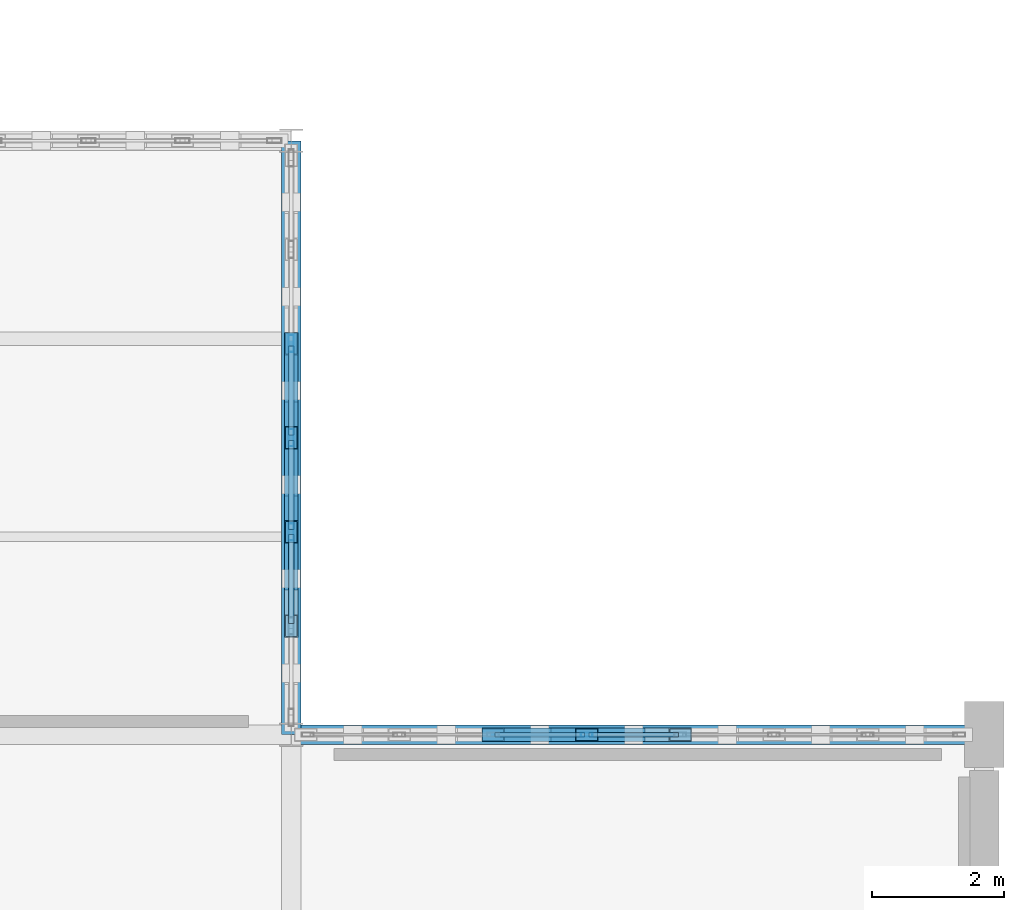
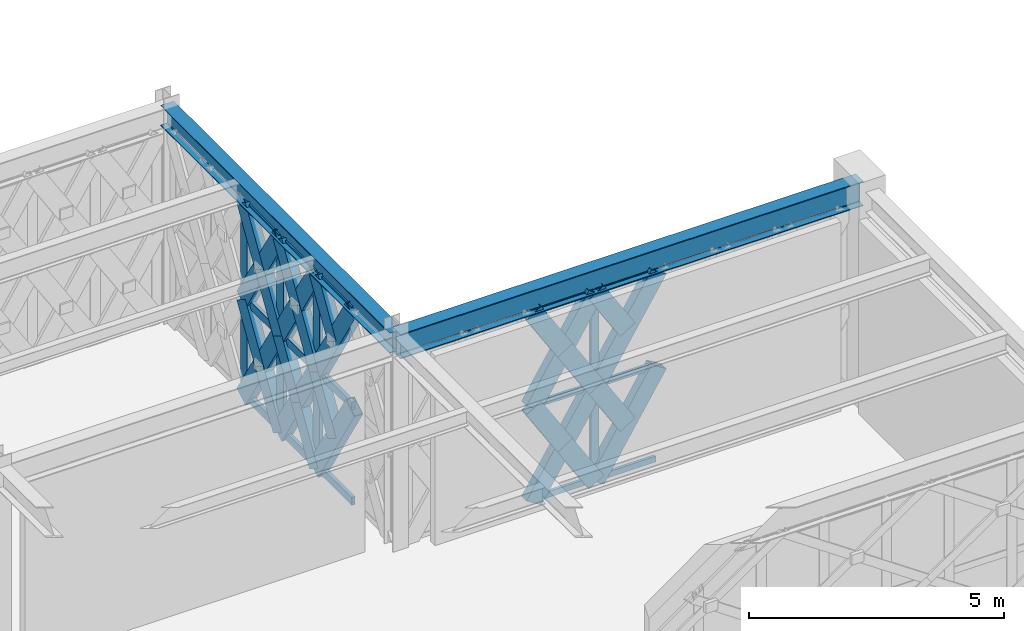
# One storey, part 116 of 166: 45 members, 2 beams, 2 elements without a shape of their own.
"""IFC4 building model written with IfcOpenShell, lengths in metres."""

from ifc_helpers import new_model, si_unit, direction, frame, origin, origin_2d, place, context, subcontext, project, spatial, hollow_rectangle, i_section, extrude, material, material_profile, profile_set, type_object, element, aggregate, save


model = new_model("IFC4")

# Units and contexts
model_context = context("Model", 3, precision=1e-05, world=origin(), true_north=direction((0.0, 1.0)))
body_context = subcontext(model_context, "Body", "Model", "MODEL_VIEW")
ifc_project = project(units=[si_unit("LENGTHUNIT", "METRE"), si_unit("AREAUNIT", "SQUARE_METRE"), si_unit("VOLUMEUNIT", "CUBIC_METRE"), si_unit("PLANEANGLEUNIT", "RADIAN"), si_unit("MASSUNIT", "GRAM", prefix="KILO")], contexts=[model_context])

# Site, building, storey
site_placement = place(None, origin())
site = spatial("IfcSite", under=ifc_project, at=site_placement, CompositionType="ELEMENT")
building_placement = place(site_placement, origin())
building = spatial("IfcBuilding", under=site, at=building_placement, Name="Haizhuo Lancet Aquarium", CompositionType="ELEMENT")
storey_placement = place(building_placement, frame((0.0, 0.0, 5.39990234375)))
storey = spatial("IfcBuildingStorey", under=building, at=storey_placement, Name="L01", CompositionType="ELEMENT", Elevation=5.39990234375)

# Beams
ifc_material_1 = material(Name="Steel S355", Category="steel")
ifc_material_profile_1 = material_profile(ifc_material_1, i_section(OverallWidth=0.300048828125, OverallDepth=0.488037109375, WebThickness=0.010986328125, FlangeThickness=0.01806640625, FilletRadius=0.02392578125, at=origin_2d()), Name="HM 488x300x11x18")
ifc_profile_set_1 = profile_set([ifc_material_profile_1], Name="Steel S355")
beam_type_1 = type_object("IfcBeamType", Name="BM-ST-HM488", PredefinedType="BEAM", material=ifc_profile_set_1)
beam_1_placement = place(storey_placement, frame((72.0, 18.0, 4.89599609375), z_axis=(0.0, 1.0, 0.0), x_axis=(-1.0, 0.0, 0.0)))
element("IfcBeam", 1, at=beam_1_placement, inside=storey, type_object=beam_type_1, Name="L01 V7 primary girder BM-L01-V7-029", PredefinedType="BEAM", context=body_context, shape_type="SweptSolid", body=[
    extrude(i_section(OverallWidth=0.300048828125, OverallDepth=0.488037109375, WebThickness=0.010986328125, FlangeThickness=0.01806640625, FilletRadius=0.02392578125, at=origin_2d()), origin(), (0.0, 0.0, 1.0), 9.0),
])
ifc_material_profile_2 = material_profile(ifc_material_1, i_section(OverallWidth=0.300048828125, OverallDepth=0.587890625, WebThickness=0.011962890625, FlangeThickness=0.02001953125, FilletRadius=0.02587890625, at=origin_2d()), Name="HM 588x300x12x20")
ifc_profile_set_2 = profile_set([ifc_material_profile_2], Name="Steel S355")
beam_type_2 = type_object("IfcBeamType", Name="BM-ST-HM588", PredefinedType="BEAM", material=ifc_profile_set_2)
beam_2_placement = place(storey_placement, frame((72.0, 18.0, 4.84619140625), z_axis=(1.0, 0.0, 0.0), x_axis=(0.0, 1.0, 0.0)))
element("IfcBeam", 2, at=beam_2_placement, inside=storey, type_object=beam_type_2, Name="L01 V7 primary girder BM-L01-V7-030", PredefinedType="BEAM", context=body_context, shape_type="SweptSolid", body=[
    extrude(i_section(OverallWidth=0.300048828125, OverallDepth=0.587890625, WebThickness=0.011962890625, FlangeThickness=0.02001953125, FilletRadius=0.02587890625, at=origin_2d()), origin(), (0.0, 0.0, 1.0), 10.5),
])

# Curtain wall, member
ifc_material_2 = material(Name="Aluminium 6063-T6", Category="aluminium")
curtain_wall_type_1 = type_object("IfcCurtainWallType", Name="CWD-9940x4550", PredefinedType="NOTDEFINED", material=ifc_material_2)
curtain_wall_1_placement = place(storey_placement, origin())
curtain_wall_1 = element("IfcCurtainWall", 3, at=curtain_wall_1_placement, inside=storey, type_object=curtain_wall_type_1, Name="L01 curtain wall CW-V7-L01-289", PredefinedType="NOTDEFINED")
ifc_material_profile_3 = material_profile(ifc_material_2, hollow_rectangle(XDim=0.06494140625, YDim=0.179931640625, WallThickness=0.00390625, at=origin_2d()), Name="ALU-M 65x180x4")
ifc_profile_set_3 = profile_set([ifc_material_profile_3], Name="Aluminium 6063-T6")
member_type_1 = type_object("IfcMemberType", Name="CW-MUL-1", PredefinedType="MULLION", material=ifc_profile_set_3)
member_1_placement = place(storey_placement, frame((76.47802734375, 18.0, 0.0), z_axis=(0.0, 0.0, 1.0), x_axis=(0.0, 1.0, 0.0)))
member_1 = element("IfcMember", 4, at=member_1_placement, type_object=member_type_1, Name="CWD-99x45 mullion 4", PredefinedType="MULLION", context=body_context, shape_type="SweptSolid", body=[
    extrude(hollow_rectangle(XDim=0.06494140625, YDim=0.179931640625, WallThickness=0.00390625, at=origin_2d()), origin(), (0.0, 0.0, 1.0), 4.552001953125),
])

# Curtain wall, members
curtain_wall_type_2 = type_object("IfcCurtainWallType", Name="CWD-8560x4650", PredefinedType="NOTDEFINED", material=ifc_material_2)
curtain_wall_2_placement = place(storey_placement, origin())
curtain_wall_2 = element("IfcCurtainWall", 5, at=curtain_wall_2_placement, inside=storey, type_object=curtain_wall_type_2, Name="L01 curtain wall CW-V7-L01-288", PredefinedType="NOTDEFINED")
ifc_material_profile_4 = material_profile(ifc_material_2, hollow_rectangle(XDim=0.080078125, YDim=0.260009765625, WallThickness=0.0048828125, at=origin_2d()), Name="ALU-M 80x260x5")
ifc_profile_set_4 = profile_set([ifc_material_profile_4], Name="Aluminium 6063-T6")
member_type_2 = type_object("IfcMemberType", Name="CW-MUL-3", PredefinedType="MULLION", material=ifc_profile_set_4)
member_2_placement = place(storey_placement, frame((72.0, 23.927001953125, 0.0), z_axis=(0.0, 0.0, 1.0), x_axis=(1.0, 0.0, 0.0)))
member_2 = element("IfcMember", 6, at=member_2_placement, type_object=member_type_2, Name="CWD-85x46 mullion 3", PredefinedType="MULLION", context=body_context, shape_type="SweptSolid", body=[
    extrude(hollow_rectangle(XDim=0.080078125, YDim=0.260009765625, WallThickness=0.0048828125, at=origin_2d()), origin(), (0.0, 0.0, 1.0), 4.652099609375),
])
member_3_placement = place(storey_placement, frame((72.0, 22.5, 0.0), z_axis=(0.0, 0.0, 1.0), x_axis=(1.0, 0.0, 0.0)))
member_3 = element("IfcMember", 7, at=member_3_placement, type_object=member_type_2, Name="CWD-85x46 mullion 4", PredefinedType="MULLION", context=body_context, shape_type="SweptSolid", body=[
    extrude(hollow_rectangle(XDim=0.080078125, YDim=0.260009765625, WallThickness=0.0048828125, at=origin_2d()), origin(), (0.0, 0.0, 1.0), 4.652099609375),
])
member_4_placement = place(storey_placement, frame((72.0, 21.072998046875, 0.0), z_axis=(0.0, 0.0, 1.0), x_axis=(1.0, 0.0, 0.0)))
member_4 = element("IfcMember", 8, at=member_4_placement, type_object=member_type_2, Name="CWD-85x46 mullion 5", PredefinedType="MULLION", context=body_context, shape_type="SweptSolid", body=[
    extrude(hollow_rectangle(XDim=0.080078125, YDim=0.260009765625, WallThickness=0.0048828125, at=origin_2d()), origin(), (0.0, 0.0, 1.0), 4.652099609375),
])

# Member
ifc_material_profile_5 = material_profile(ifc_material_2, hollow_rectangle(XDim=0.06494140625, YDim=0.139892578125, WallThickness=0.00390625, at=origin_2d()), Name="ALU-T 65x140x4")
ifc_profile_set_5 = profile_set([ifc_material_profile_5], Name="Aluminium 6063-T6")
member_type_3 = type_object("IfcMemberType", Name="CW-TRN-1", PredefinedType="NOTDEFINED", material=ifc_profile_set_5)
member_5_placement = place(storey_placement, frame((75.091064453125, 18.0, 0.033203125), z_axis=(1.0, 0.0, 0.0), x_axis=(0.0, 1.0, 0.0)))
member_5 = element("IfcMember", 9, at=member_5_placement, type_object=member_type_3, Name="CWD-99x45 transom 3.1", ObjectType="TRANSOM", PredefinedType="USERDEFINED", context=body_context, shape_type="SweptSolid", body=[
    extrude(hollow_rectangle(XDim=0.06494140625, YDim=0.139892578125, WallThickness=0.00390625, at=origin_2d()), origin(), (0.0, 0.0, 1.0), 1.35400390625),
])

member_6_placement = place(storey_placement, frame((75.091064453125, 18.0, 2.276123046875), z_axis=(1.0, 0.0, 0.0), x_axis=(0.0, 1.0, 0.0)))
member_6 = element("IfcMember", 10, at=member_6_placement, type_object=member_type_3, Name="CWD-99x45 transom 3.2", ObjectType="TRANSOM", PredefinedType="USERDEFINED", context=body_context, shape_type="SweptSolid", body=[
    extrude(hollow_rectangle(XDim=0.06494140625, YDim=0.139892578125, WallThickness=0.00390625, at=origin_2d()), origin(), (0.0, 0.0, 1.0), 1.35400390625),
])

member_7_placement = place(storey_placement, frame((75.091064453125, 18.0, 4.51904296875), z_axis=(1.0, 0.0, 0.0), x_axis=(0.0, 1.0, 0.0)))
member_7 = element("IfcMember", 11, at=member_7_placement, type_object=member_type_3, Name="CWD-99x45 transom 3.3", ObjectType="TRANSOM", PredefinedType="USERDEFINED", context=body_context, shape_type="SweptSolid", body=[
    extrude(hollow_rectangle(XDim=0.06494140625, YDim=0.139892578125, WallThickness=0.00390625, at=origin_2d()), origin(), (0.0, 0.0, 1.0), 1.35400390625),
])

member_8_placement = place(storey_placement, frame((76.510009765625, 18.0, 0.033203125), z_axis=(1.0, 0.0, 0.0), x_axis=(0.0, 1.0, 0.0)))
member_8 = element("IfcMember", 12, at=member_8_placement, type_object=member_type_3, Name="CWD-99x45 transom 4.1", ObjectType="TRANSOM", PredefinedType="USERDEFINED", context=body_context, shape_type="SweptSolid", body=[
    extrude(hollow_rectangle(XDim=0.06494140625, YDim=0.139892578125, WallThickness=0.00390625, at=origin_2d()), origin(), (0.0, 0.0, 1.0), 1.35498046875),
])

member_9_placement = place(storey_placement, frame((76.510009765625, 18.0, 2.276123046875), z_axis=(1.0, 0.0, 0.0), x_axis=(0.0, 1.0, 0.0)))
member_9 = element("IfcMember", 13, at=member_9_placement, type_object=member_type_3, Name="CWD-99x45 transom 4.2", ObjectType="TRANSOM", PredefinedType="USERDEFINED", context=body_context, shape_type="SweptSolid", body=[
    extrude(hollow_rectangle(XDim=0.06494140625, YDim=0.139892578125, WallThickness=0.00390625, at=origin_2d()), origin(), (0.0, 0.0, 1.0), 1.35498046875),
])

member_10_placement = place(storey_placement, frame((76.510009765625, 18.0, 4.51904296875), z_axis=(1.0, 0.0, 0.0), x_axis=(0.0, 1.0, 0.0)))
member_10 = element("IfcMember", 14, at=member_10_placement, type_object=member_type_3, Name="CWD-99x45 transom 4.3", ObjectType="TRANSOM", PredefinedType="USERDEFINED", context=body_context, shape_type="SweptSolid", body=[
    extrude(hollow_rectangle(XDim=0.06494140625, YDim=0.139892578125, WallThickness=0.00390625, at=origin_2d()), origin(), (0.0, 0.0, 1.0), 1.35498046875),
])

aggregate(curtain_wall_1, [member_1, member_5, member_6, member_7, member_8, member_9, member_10])

ifc_material_profile_6 = material_profile(ifc_material_2, hollow_rectangle(XDim=0.080078125, YDim=0.18994140625, WallThickness=0.0048828125, at=origin_2d()), Name="ALU-T 80x190x5")
ifc_profile_set_6 = profile_set([ifc_material_profile_6], Name="Aluminium 6063-T6")
member_type_4 = type_object("IfcMemberType", Name="CW-TRN-3", PredefinedType="NOTDEFINED", material=ifc_profile_set_6)
member_11_placement = place(storey_placement, frame((72.0, 23.886962890625, 0.0400390625), z_axis=(0.0, -1.0, 0.0), x_axis=(1.0, 0.0, 0.0)))
member_11 = element("IfcMember", 15, at=member_11_placement, type_object=member_type_4, Name="CWD-85x46 transom 3.1", ObjectType="TRANSOM", PredefinedType="USERDEFINED", context=body_context, shape_type="SweptSolid", body=[
    extrude(hollow_rectangle(XDim=0.080078125, YDim=0.18994140625, WallThickness=0.0048828125, at=origin_2d()), origin(), (0.0, 0.0, 1.0), 1.346923828125),
])

member_12_placement = place(storey_placement, frame((72.0, 23.886962890625, 2.326171875), z_axis=(0.0, -1.0, 0.0), x_axis=(1.0, 0.0, 0.0)))
member_12 = element("IfcMember", 16, at=member_12_placement, type_object=member_type_4, Name="CWD-85x46 transom 3.2", ObjectType="TRANSOM", PredefinedType="USERDEFINED", context=body_context, shape_type="SweptSolid", body=[
    extrude(hollow_rectangle(XDim=0.080078125, YDim=0.18994140625, WallThickness=0.0048828125, at=origin_2d()), origin(), (0.0, 0.0, 1.0), 1.346923828125),
])

member_13_placement = place(storey_placement, frame((72.0, 23.886962890625, 4.612060546875), z_axis=(0.0, -1.0, 0.0), x_axis=(1.0, 0.0, 0.0)))
member_13 = element("IfcMember", 17, at=member_13_placement, type_object=member_type_4, Name="CWD-85x46 transom 3.3", ObjectType="TRANSOM", PredefinedType="USERDEFINED", context=body_context, shape_type="SweptSolid", body=[
    extrude(hollow_rectangle(XDim=0.080078125, YDim=0.18994140625, WallThickness=0.0048828125, at=origin_2d()), origin(), (0.0, 0.0, 1.0), 1.346923828125),
])

member_14_placement = place(storey_placement, frame((72.0, 22.4599609375, 0.0400390625), z_axis=(0.0, -1.0, 0.0), x_axis=(1.0, 0.0, 0.0)))
member_14 = element("IfcMember", 18, at=member_14_placement, type_object=member_type_4, Name="CWD-85x46 transom 4.1", ObjectType="TRANSOM", PredefinedType="USERDEFINED", context=body_context, shape_type="SweptSolid", body=[
    extrude(hollow_rectangle(XDim=0.080078125, YDim=0.18994140625, WallThickness=0.0048828125, at=origin_2d()), origin(), (0.0, 0.0, 1.0), 1.346923828125),
])

member_15_placement = place(storey_placement, frame((72.0, 22.4599609375, 2.326171875), z_axis=(0.0, -1.0, 0.0), x_axis=(1.0, 0.0, 0.0)))
member_15 = element("IfcMember", 19, at=member_15_placement, type_object=member_type_4, Name="CWD-85x46 transom 4.2", ObjectType="TRANSOM", PredefinedType="USERDEFINED", context=body_context, shape_type="SweptSolid", body=[
    extrude(hollow_rectangle(XDim=0.080078125, YDim=0.18994140625, WallThickness=0.0048828125, at=origin_2d()), origin(), (0.0, 0.0, 1.0), 1.346923828125),
])

member_16_placement = place(storey_placement, frame((72.0, 22.4599609375, 4.612060546875), z_axis=(0.0, -1.0, 0.0), x_axis=(1.0, 0.0, 0.0)))
member_16 = element("IfcMember", 20, at=member_16_placement, type_object=member_type_4, Name="CWD-85x46 transom 4.3", ObjectType="TRANSOM", PredefinedType="USERDEFINED", context=body_context, shape_type="SweptSolid", body=[
    extrude(hollow_rectangle(XDim=0.080078125, YDim=0.18994140625, WallThickness=0.0048828125, at=origin_2d()), origin(), (0.0, 0.0, 1.0), 1.346923828125),
])

member_17_placement = place(storey_placement, frame((72.0, 21.032958984375, 0.0400390625), z_axis=(0.0, -1.0, 0.0), x_axis=(1.0, 0.0, 0.0)))
member_17 = element("IfcMember", 21, at=member_17_placement, type_object=member_type_4, Name="CWD-85x46 transom 5.1", ObjectType="TRANSOM", PredefinedType="USERDEFINED", context=body_context, shape_type="SweptSolid", body=[
    extrude(hollow_rectangle(XDim=0.080078125, YDim=0.18994140625, WallThickness=0.0048828125, at=origin_2d()), origin(), (0.0, 0.0, 1.0), 1.345947265625),
])

member_18_placement = place(storey_placement, frame((72.0, 21.032958984375, 2.326171875), z_axis=(0.0, -1.0, 0.0), x_axis=(1.0, 0.0, 0.0)))
member_18 = element("IfcMember", 22, at=member_18_placement, type_object=member_type_4, Name="CWD-85x46 transom 5.2", ObjectType="TRANSOM", PredefinedType="USERDEFINED", context=body_context, shape_type="SweptSolid", body=[
    extrude(hollow_rectangle(XDim=0.080078125, YDim=0.18994140625, WallThickness=0.0048828125, at=origin_2d()), origin(), (0.0, 0.0, 1.0), 1.345947265625),
])

member_19_placement = place(storey_placement, frame((72.0, 21.032958984375, 4.612060546875), z_axis=(0.0, -1.0, 0.0), x_axis=(1.0, 0.0, 0.0)))
member_19 = element("IfcMember", 23, at=member_19_placement, type_object=member_type_4, Name="CWD-85x46 transom 5.3", ObjectType="TRANSOM", PredefinedType="USERDEFINED", context=body_context, shape_type="SweptSolid", body=[
    extrude(hollow_rectangle(XDim=0.080078125, YDim=0.18994140625, WallThickness=0.0048828125, at=origin_2d()), origin(), (0.0, 0.0, 1.0), 1.345947265625),
])

aggregate(curtain_wall_2, [member_2, member_3, member_4, member_11, member_12, member_13, member_14, member_15, member_16, member_17, member_18, member_19])

# Members
ifc_material_profile_7 = material_profile(ifc_material_1, hollow_rectangle(XDim=0.199951171875, YDim=0.39990234375, WallThickness=0.011962890625, at=origin_2d()), Name="RHS 200x400x12")
ifc_profile_set_7 = profile_set([ifc_material_profile_7], Name="Steel S355")
member_type_5 = type_object("IfcMemberType", Name="MEM-LB-RHS200x400", PredefinedType="BRACE", material=ifc_profile_set_7)
member_20_placement = place(storey_placement, frame((72.0, 23.927001953125, 0.0), z_axis=(0.0, -0.522903960116, 0.85239160513), x_axis=(1.0, 0.0, 0.0)))
element("IfcMember", 24, at=member_20_placement, inside=storey, type_object=member_type_5, Name="Gothic lancet continuous diagonal brace CW-V7-L01-288 5A", PredefinedType="BRACE", context=body_context, shape_type="SweptSolid", body=[
    extrude(hollow_rectangle(XDim=0.199951171875, YDim=0.39990234375, WallThickness=0.011962890625, at=origin_2d()), origin(), (0.0, 0.0, 1.0), 2.72900390625),
])
member_21_placement = place(storey_placement, frame((72.0, 22.5, 0.0), z_axis=(0.0, 0.522578844291, 0.852590963768), x_axis=(-1.0, 0.0, 0.0)))
element("IfcMember", 25, at=member_21_placement, inside=storey, type_object=member_type_5, Name="Gothic lancet split diagonal brace CW-V7-L01-288 5B1", PredefinedType="BRACE", context=body_context, shape_type="SweptSolid", body=[
    extrude(hollow_rectangle(XDim=0.199951171875, YDim=0.39990234375, WallThickness=0.011962890625, at=origin_2d()), origin(), (0.0, 0.0, 1.0), 1.3642578125),
])
member_22_placement = place(storey_placement, frame((72.0, 23.212890625, 1.1630859375), z_axis=(0.0, 0.523228847887, 0.85219221584), x_axis=(-1.0, 0.0, 0.0)))
element("IfcMember", 26, at=member_22_placement, inside=storey, type_object=member_type_5, Name="Gothic lancet split diagonal brace CW-V7-L01-288 5B2", PredefinedType="BRACE", context=body_context, shape_type="SweptSolid", body=[
    extrude(hollow_rectangle(XDim=0.199951171875, YDim=0.39990234375, WallThickness=0.011962890625, at=origin_2d()), origin(), (0.0, 0.0, 1.0), 1.36474609375),
])
member_23_placement = place(storey_placement, frame((72.0, 23.927001953125, 2.326171875), z_axis=(0.0, -0.522943837384, 0.852367140933), x_axis=(1.0, 0.0, 0.0)))
element("IfcMember", 27, at=member_23_placement, inside=storey, type_object=member_type_5, Name="Gothic lancet continuous diagonal brace CW-V7-L01-288 6A", PredefinedType="BRACE", context=body_context, shape_type="SweptSolid", body=[
    extrude(hollow_rectangle(XDim=0.199951171875, YDim=0.39990234375, WallThickness=0.011962890625, at=origin_2d()), origin(), (0.0, 0.0, 1.0), 2.728759765625),
])
member_24_placement = place(storey_placement, frame((72.0, 22.5, 2.326171875), z_axis=(0.0, 0.522658591473, 0.852542079173), x_axis=(-1.0, 0.0, 0.0)))
element("IfcMember", 28, at=member_24_placement, inside=storey, type_object=member_type_5, Name="Gothic lancet split diagonal brace CW-V7-L01-288 6B1", PredefinedType="BRACE", context=body_context, shape_type="SweptSolid", body=[
    extrude(hollow_rectangle(XDim=0.199951171875, YDim=0.39990234375, WallThickness=0.011962890625, at=origin_2d()), origin(), (0.0, 0.0, 1.0), 1.364013671875),
])
member_25_placement = place(storey_placement, frame((72.0, 23.212890625, 3.489013671875), z_axis=(0.0, 0.523228847887, 0.85219221584), x_axis=(-1.0, 0.0, 0.0)))
element("IfcMember", 29, at=member_25_placement, inside=storey, type_object=member_type_5, Name="Gothic lancet split diagonal brace CW-V7-L01-288 6B2", PredefinedType="BRACE", context=body_context, shape_type="SweptSolid", body=[
    extrude(hollow_rectangle(XDim=0.199951171875, YDim=0.39990234375, WallThickness=0.011962890625, at=origin_2d()), origin(), (0.0, 0.0, 1.0), 1.36474609375),
])
member_26_placement = place(storey_placement, frame((72.0, 22.5, 0.0), z_axis=(0.0, -0.522903960116, 0.85239160513), x_axis=(1.0, 0.0, 0.0)))
element("IfcMember", 30, at=member_26_placement, inside=storey, type_object=member_type_5, Name="Gothic lancet continuous diagonal brace CW-V7-L01-288 7A", PredefinedType="BRACE", context=body_context, shape_type="SweptSolid", body=[
    extrude(hollow_rectangle(XDim=0.199951171875, YDim=0.39990234375, WallThickness=0.011962890625, at=origin_2d()), origin(), (0.0, 0.0, 1.0), 2.72900390625),
])
member_27_placement = place(storey_placement, frame((72.0, 21.072998046875, 0.0), z_axis=(0.0, 0.523228847887, 0.85219221584), x_axis=(-1.0, 0.0, 0.0)))
element("IfcMember", 31, at=member_27_placement, inside=storey, type_object=member_type_5, Name="Gothic lancet split diagonal brace CW-V7-L01-288 7B1", PredefinedType="BRACE", context=body_context, shape_type="SweptSolid", body=[
    extrude(hollow_rectangle(XDim=0.199951171875, YDim=0.39990234375, WallThickness=0.011962890625, at=origin_2d()), origin(), (0.0, 0.0, 1.0), 1.36474609375),
])
member_28_placement = place(storey_placement, frame((72.0, 21.787109375, 1.1630859375), z_axis=(0.0, 0.522578844291, 0.852590963768), x_axis=(-1.0, 0.0, 0.0)))
element("IfcMember", 32, at=member_28_placement, inside=storey, type_object=member_type_5, Name="Gothic lancet split diagonal brace CW-V7-L01-288 7B2", PredefinedType="BRACE", context=body_context, shape_type="SweptSolid", body=[
    extrude(hollow_rectangle(XDim=0.199951171875, YDim=0.39990234375, WallThickness=0.011962890625, at=origin_2d()), origin(), (0.0, 0.0, 1.0), 1.3642578125),
])
member_29_placement = place(storey_placement, frame((72.0, 22.5, 2.326171875), z_axis=(0.0, -0.522943837384, 0.852367140933), x_axis=(1.0, 0.0, 0.0)))
element("IfcMember", 33, at=member_29_placement, inside=storey, type_object=member_type_5, Name="Gothic lancet continuous diagonal brace CW-V7-L01-288 8A", PredefinedType="BRACE", context=body_context, shape_type="SweptSolid", body=[
    extrude(hollow_rectangle(XDim=0.199951171875, YDim=0.39990234375, WallThickness=0.011962890625, at=origin_2d()), origin(), (0.0, 0.0, 1.0), 2.728759765625),
])
member_30_placement = place(storey_placement, frame((72.0, 21.072998046875, 2.326171875), z_axis=(0.0, 0.523308619575, 0.85214323249), x_axis=(-1.0, 0.0, 0.0)))
element("IfcMember", 34, at=member_30_placement, inside=storey, type_object=member_type_5, Name="Gothic lancet split diagonal brace CW-V7-L01-288 8B1", PredefinedType="BRACE", context=body_context, shape_type="SweptSolid", body=[
    extrude(hollow_rectangle(XDim=0.199951171875, YDim=0.39990234375, WallThickness=0.011962890625, at=origin_2d()), origin(), (0.0, 0.0, 1.0), 1.364501953125),
])
member_31_placement = place(storey_placement, frame((72.0, 21.787109375, 3.489013671875), z_axis=(0.0, 0.522578844291, 0.852590963768), x_axis=(-1.0, 0.0, 0.0)))
element("IfcMember", 35, at=member_31_placement, inside=storey, type_object=member_type_5, Name="Gothic lancet split diagonal brace CW-V7-L01-288 8B2", PredefinedType="BRACE", context=body_context, shape_type="SweptSolid", body=[
    extrude(hollow_rectangle(XDim=0.199951171875, YDim=0.39990234375, WallThickness=0.011962890625, at=origin_2d()), origin(), (0.0, 0.0, 1.0), 1.3642578125),
])
member_32_placement = place(storey_placement, frame((72.0, 21.072998046875, 0.0), z_axis=(0.0, -0.522643885704, 0.852551094502), x_axis=(1.0, 0.0, 0.0)))
element("IfcMember", 36, at=member_32_placement, inside=storey, type_object=member_type_5, Name="Gothic lancet continuous diagonal brace CW-V7-L01-288 9A", PredefinedType="BRACE", context=body_context, shape_type="SweptSolid", body=[
    extrude(hollow_rectangle(XDim=0.199951171875, YDim=0.39990234375, WallThickness=0.011962890625, at=origin_2d()), origin(), (0.0, 0.0, 1.0), 2.728515625),
])
member_33_placement = place(storey_placement, frame((72.0, 20.360107421875, 1.1630859375), z_axis=(0.0, 0.522578844291, 0.852590963768), x_axis=(-1.0, 0.0, 0.0)))
element("IfcMember", 37, at=member_33_placement, inside=storey, type_object=member_type_5, Name="Gothic lancet split diagonal brace CW-V7-L01-288 9B2", PredefinedType="BRACE", context=body_context, shape_type="SweptSolid", body=[
    extrude(hollow_rectangle(XDim=0.199951171875, YDim=0.39990234375, WallThickness=0.011962890625, at=origin_2d()), origin(), (0.0, 0.0, 1.0), 1.3642578125),
])
member_34_placement = place(storey_placement, frame((72.0, 21.072998046875, 2.326171875), z_axis=(0.0, -0.522683758057, 0.852526650061), x_axis=(1.0, 0.0, 0.0)))
element("IfcMember", 38, at=member_34_placement, inside=storey, type_object=member_type_5, Name="Gothic lancet continuous diagonal brace CW-V7-L01-288 10A", PredefinedType="BRACE", context=body_context, shape_type="SweptSolid", body=[
    extrude(hollow_rectangle(XDim=0.199951171875, YDim=0.39990234375, WallThickness=0.011962890625, at=origin_2d()), origin(), (0.0, 0.0, 1.0), 2.728271484375),
])
member_35_placement = place(storey_placement, frame((72.0, 20.360107421875, 3.489013671875), z_axis=(0.0, 0.522578844291, 0.852590963768), x_axis=(-1.0, 0.0, 0.0)))
element("IfcMember", 39, at=member_35_placement, inside=storey, type_object=member_type_5, Name="Gothic lancet split diagonal brace CW-V7-L01-288 10B2", PredefinedType="BRACE", context=body_context, shape_type="SweptSolid", body=[
    extrude(hollow_rectangle(XDim=0.199951171875, YDim=0.39990234375, WallThickness=0.011962890625, at=origin_2d()), origin(), (0.0, 0.0, 1.0), 1.3642578125),
])
member_36_placement = place(storey_placement, frame((75.05908203125, 18.0, 0.0), z_axis=(0.529024952712, 0.0, 0.848606268777), x_axis=(0.0, 1.0, 0.0)))
element("IfcMember", 40, at=member_36_placement, inside=storey, type_object=member_type_5, Name="Gothic lancet continuous diagonal brace CW-V7-L01-289 5A", PredefinedType="BRACE", context=body_context, shape_type="SweptSolid", body=[
    extrude(hollow_rectangle(XDim=0.199951171875, YDim=0.39990234375, WallThickness=0.011962890625, at=origin_2d()), origin(), (0.0, 0.0, 1.0), 2.68212890625),
])
member_37_placement = place(storey_placement, frame((76.47802734375, 18.0, 0.0), z_axis=(-0.529246205915, 0.0, 0.848468298479), x_axis=(0.0, -1.0, 0.0)))
element("IfcMember", 41, at=member_37_placement, inside=storey, type_object=member_type_5, Name="Gothic lancet split diagonal brace CW-V7-L01-289 5B1", PredefinedType="BRACE", context=body_context, shape_type="SweptSolid", body=[
    extrude(hollow_rectangle(XDim=0.199951171875, YDim=0.39990234375, WallThickness=0.011962890625, at=origin_2d()), origin(), (0.0, 0.0, 1.0), 1.341552734375),
])
member_38_placement = place(storey_placement, frame((75.76806640625, 18.0, 1.13818359375), z_axis=(-0.528803544066, 0.0, 0.848744255817), x_axis=(0.0, -1.0, 0.0)))
element("IfcMember", 42, at=member_38_placement, inside=storey, type_object=member_type_5, Name="Gothic lancet split diagonal brace CW-V7-L01-289 5B2", PredefinedType="BRACE", context=body_context, shape_type="SweptSolid", body=[
    extrude(hollow_rectangle(XDim=0.199951171875, YDim=0.39990234375, WallThickness=0.011962890625, at=origin_2d()), origin(), (0.0, 0.0, 1.0), 1.3408203125),
])
member_39_placement = place(storey_placement, frame((75.05908203125, 18.0, 2.276123046875), z_axis=(0.529065818509, 0.0, 0.84858079149), x_axis=(0.0, 1.0, 0.0)))
element("IfcMember", 43, at=member_39_placement, inside=storey, type_object=member_type_5, Name="Gothic lancet continuous diagonal brace CW-V7-L01-289 6A", PredefinedType="BRACE", context=body_context, shape_type="SweptSolid", body=[
    extrude(hollow_rectangle(XDim=0.199951171875, YDim=0.39990234375, WallThickness=0.011962890625, at=origin_2d()), origin(), (0.0, 0.0, 1.0), 2.681884765625),
])
member_40_placement = place(storey_placement, frame((76.47802734375, 18.0, 2.276123046875), z_axis=(-0.529327941419, 0.0, 0.848417309131), x_axis=(0.0, -1.0, 0.0)))
element("IfcMember", 44, at=member_40_placement, inside=storey, type_object=member_type_5, Name="Gothic lancet split diagonal brace CW-V7-L01-289 6B1", PredefinedType="BRACE", context=body_context, shape_type="SweptSolid", body=[
    extrude(hollow_rectangle(XDim=0.199951171875, YDim=0.39990234375, WallThickness=0.011962890625, at=origin_2d()), origin(), (0.0, 0.0, 1.0), 1.34130859375),
])
member_41_placement = place(storey_placement, frame((75.76806640625, 18.0, 3.4140625), z_axis=(-0.528803544066, 0.0, 0.848744255817), x_axis=(0.0, -1.0, 0.0)))
element("IfcMember", 45, at=member_41_placement, inside=storey, type_object=member_type_5, Name="Gothic lancet split diagonal brace CW-V7-L01-289 6B2", PredefinedType="BRACE", context=body_context, shape_type="SweptSolid", body=[
    extrude(hollow_rectangle(XDim=0.199951171875, YDim=0.39990234375, WallThickness=0.011962890625, at=origin_2d()), origin(), (0.0, 0.0, 1.0), 1.3408203125),
])
member_42_placement = place(storey_placement, frame((76.47802734375, 18.0, 0.0), z_axis=(0.529024952712, 0.0, 0.848606268777), x_axis=(0.0, 1.0, 0.0)))
element("IfcMember", 46, at=member_42_placement, inside=storey, type_object=member_type_5, Name="Gothic lancet continuous diagonal brace CW-V7-L01-289 7A", PredefinedType="BRACE", context=body_context, shape_type="SweptSolid", body=[
    extrude(hollow_rectangle(XDim=0.199951171875, YDim=0.39990234375, WallThickness=0.011962890625, at=origin_2d()), origin(), (0.0, 0.0, 1.0), 2.68212890625),
])
member_43_placement = place(storey_placement, frame((77.18798828125, 18.0, 1.13818359375), z_axis=(-0.529327941419, 0.0, 0.848417309131), x_axis=(0.0, -1.0, 0.0)))
element("IfcMember", 47, at=member_43_placement, inside=storey, type_object=member_type_5, Name="Gothic lancet split diagonal brace CW-V7-L01-289 7B2", PredefinedType="BRACE", context=body_context, shape_type="SweptSolid", body=[
    extrude(hollow_rectangle(XDim=0.199951171875, YDim=0.39990234375, WallThickness=0.011962890625, at=origin_2d()), origin(), (0.0, 0.0, 1.0), 1.34130859375),
])
member_44_placement = place(storey_placement, frame((76.47802734375, 18.0, 2.276123046875), z_axis=(0.529065818509, 0.0, 0.84858079149), x_axis=(0.0, 1.0, 0.0)))
element("IfcMember", 48, at=member_44_placement, inside=storey, type_object=member_type_5, Name="Gothic lancet continuous diagonal brace CW-V7-L01-289 8A", PredefinedType="BRACE", context=body_context, shape_type="SweptSolid", body=[
    extrude(hollow_rectangle(XDim=0.199951171875, YDim=0.39990234375, WallThickness=0.011962890625, at=origin_2d()), origin(), (0.0, 0.0, 1.0), 2.681884765625),
])
member_45_placement = place(storey_placement, frame((77.18798828125, 18.0, 3.4140625), z_axis=(-0.529327941419, 0.0, 0.848417309131), x_axis=(0.0, -1.0, 0.0)))
element("IfcMember", 49, at=member_45_placement, inside=storey, type_object=member_type_5, Name="Gothic lancet split diagonal brace CW-V7-L01-289 8B2", PredefinedType="BRACE", context=body_context, shape_type="SweptSolid", body=[
    extrude(hollow_rectangle(XDim=0.199951171875, YDim=0.39990234375, WallThickness=0.011962890625, at=origin_2d()), origin(), (0.0, 0.0, 1.0), 1.34130859375),
])

save(model, "model.ifc")
